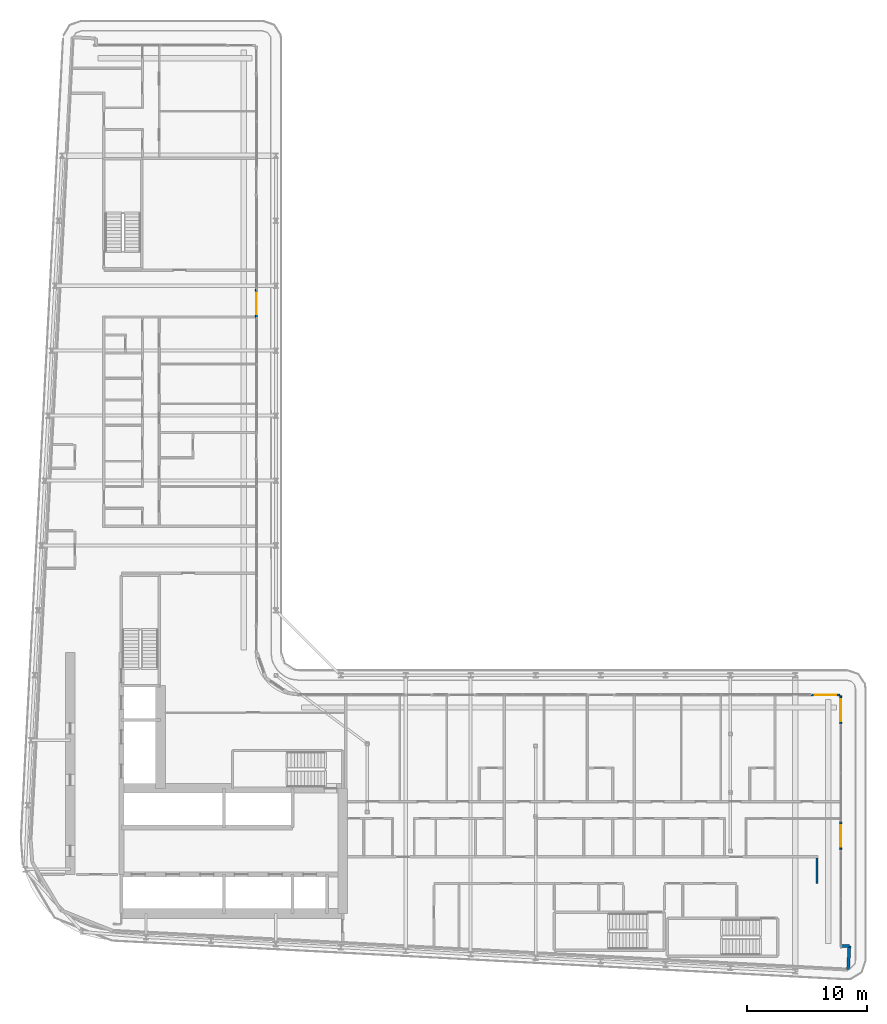
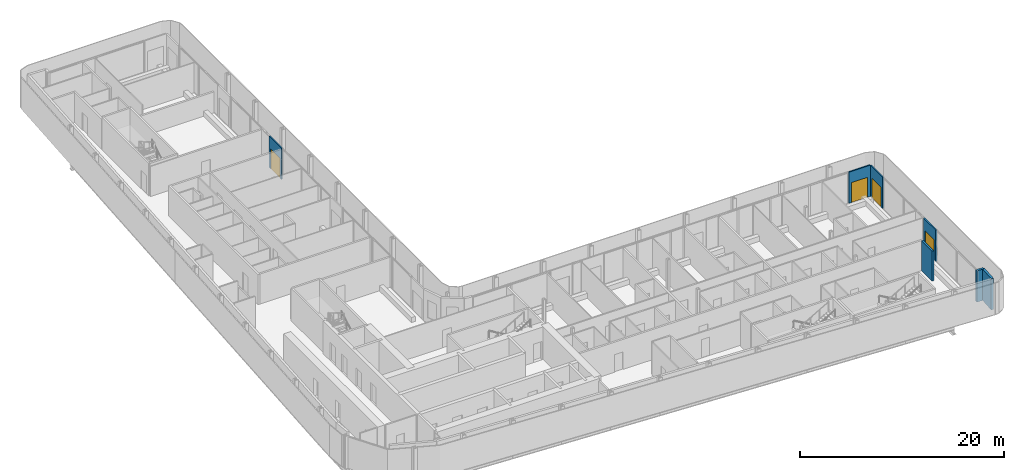
# One storey, part 21 of 30: 7 walls, 4 doors, 4 openings.
"""IFC4 building model written with IfcOpenShell, lengths in metres."""

from ifc_helpers import new_model, si_unit, direction, frame, frame_2d, origin, place, context, subcontext, project, spatial, rectangle, extrude, source, transform, mapped, material, layer, layer_set, type_object, element, fill, save


model = new_model("IFC4")

# Units and contexts
model_context = context("Model", 3, precision=1e-05, world=origin(), true_north=direction((0.0, 1.0)))
body_context = subcontext(model_context, "Body", "Model", "MODEL_VIEW")
ifc_project = project(units=[si_unit("LENGTHUNIT", "METRE"), si_unit("AREAUNIT", "SQUARE_METRE"), si_unit("VOLUMEUNIT", "CUBIC_METRE"), si_unit("PLANEANGLEUNIT", "RADIAN"), si_unit("MASSUNIT", "GRAM", prefix="KILO")], contexts=[model_context])

# Site, building, storey
site_placement = place(None, origin())
site = spatial("IfcSite", under=ifc_project, at=site_placement, CompositionType="ELEMENT")
building_placement = place(site_placement, origin())
building = spatial("IfcBuilding", under=site, at=building_placement, Name="Kheshtan School and Residences Tower", CompositionType="ELEMENT")
storey_placement = place(building_placement, frame((0.0, 0.0, 164.300048828125)))
storey = spatial("IfcBuildingStorey", under=building, at=storey_placement, Name="L38", CompositionType="ELEMENT", Elevation=164.300048828125)

# Walls
ifc_material_1 = material(Name="Gypsum board on steel studs with fire boards", Category="steel")
ifc_layer_1 = layer(ifc_material_1, 0.199951171875)
ifc_layer_set_1 = layer_set([ifc_layer_1], Name="Corridor wall 200")
wall_type_1 = type_object("IfcWallType", Name="Corridor wall 200", PredefinedType="PARTITIONING", material=ifc_layer_set_1)
wall_1_placement = place(storey_placement, frame((92.60009765625, 28.300048828125, 0.0), z_axis=(0.0, 0.0, 1.0), x_axis=(0.0, 1.0, 0.0)))
element("IfcWall", 1, at=wall_1_placement, inside=storey, type_object=wall_type_1, Name="Partition L38-075", PredefinedType="PARTITIONING", context=body_context, shape_type="SweptSolid", body=[
    extrude(rectangle(XDim=2.099853515625, YDim=0.199951171875, at=frame_2d((1.0498046875, 0.0))), origin(), (0.0, 0.0, 1.0), 3.599853515625),
])
ifc_material_2 = material(Name="Concrete C40/50 with ceramic cladding and mineral wool insulation", Category="concrete")
ifc_layer_2 = layer(ifc_material_2, 0.25)
ifc_layer_set_2 = layer_set([ifc_layer_2], Name="External wall 250 ceramic clad")
wall_type_2 = type_object("IfcWallType", Name="External wall 250 ceramic clad", PredefinedType="SOLIDWALL", material=ifc_layer_set_2)
wall_2_placement = place(storey_placement, frame((94.507080078125, 23.123046875, 0.0), z_axis=(0.0, 0.0, 1.0), x_axis=(0.998561284263, -0.053622398031, 0.0)))
element("IfcWall", 2, at=wall_2_placement, inside=storey, type_object=wall_type_2, Name="External wall L38 14", PredefinedType="SOLIDWALL", context=body_context, shape_type="SweptSolid", body=[
    extrude(rectangle(XDim=0.783203125, YDim=0.25, at=frame_2d((0.3916015625, 0.0))), origin(), (0.0, 0.0, 1.0), 3.75),
])
wall_3_placement = place(storey_placement, frame((95.2890625, 23.0810546875, 0.0), z_axis=(0.0, 0.0, 1.0), x_axis=(-0.052841433274, -0.998602915542, 0.0)))
element("IfcWall", 3, at=wall_3_placement, inside=storey, type_object=wall_type_2, Name="External wall L38 15", PredefinedType="SOLIDWALL", context=body_context, shape_type="SweptSolid", body=[
    extrude(rectangle(XDim=1.94970703125, YDim=0.25, at=frame_2d((0.974853515625, 0.0))), origin(), (0.0, 0.0, 1.0), 3.75),
])

# Wall, opening, door
ifc_material_3 = material(Name="Aluminium frame wall with insulated infill", Category="aluminium")
ifc_layer_3 = layer(ifc_material_3, 0.14990234375)
ifc_layer_set_3 = layer_set([ifc_layer_3], Name="Glazing frame wall 150")
wall_type_3 = type_object("IfcWallType", Name="Glazing frame wall 150", PredefinedType="SOLIDWALL", material=ifc_layer_set_3)
wall_4_placement = place(storey_placement, frame((45.97509765625, 77.7119140625, 0.0), z_axis=(0.0, 0.0, 1.0), x_axis=(0.0, -1.0, 0.0)))
wall_4 = element("IfcWall", 4, at=wall_4_placement, inside=storey, type_object=wall_type_3, Name="Balcony door wall L38 8.3", PredefinedType="SOLIDWALL", context=body_context, shape_type="SweptSolid", body=[
    extrude(rectangle(XDim=2.39990234375, YDim=0.14990234375, at=frame_2d((1.199951171875, 0.0))), origin(), (0.0, 0.0, 1.0), 3.75),
])
opening_1_placement = place(wall_4_placement, frame((0.300048828125, 0.0, 0.0)))
opening_1 = element("IfcOpeningElement", 5, at=opening_1_placement, cuts=wall_4, Name="Opening BD", PredefinedType="OPENING", context=body_context, shape_type="SweptSolid", body=[
    extrude(rectangle(XDim=1.800048828125, YDim=2.39990234375, at=frame_2d((0.89990234375, 1.199951171875))), frame((0.0, 0.0849609375, 0.0), z_axis=(0.0, -1.0, 0.0), x_axis=(1.0, 0.0, 0.0)), (0.0, 0.0, 1.0), 0.169921875),
])
ifc_material_4 = material(Name="Clear low-e glass in thermally broken aluminium frame", Category="aluminium")
door_type = type_object("IfcDoorType", Name="Balcony sliding door", OperationType="SLIDING_TO_LEFT", PredefinedType="DOOR", material=ifc_material_4)
shared_shape = source(origin(), body_context, "Body", "SweptSolid", [
    extrude(rectangle(XDim=1.800048828125, YDim=2.39990234375, at=frame_2d((0.89990234375, 1.199951171875))), frame((0.0, 0.02490234375, 0.0), z_axis=(0.0, -1.0, 0.0), x_axis=(1.0, 0.0, 0.0)), (0.0, 0.0, 1.0), 0.050048828125),
])
door_1_placement = place(opening_1_placement, origin())
door_1 = element("IfcDoor", 6, at=door_1_placement, inside=storey, type_object=door_type, Name="Balcony door L38 8.3", OperationType="SLIDING_TO_LEFT", OverallHeight=2.39990234375, OverallWidth=1.800048828125, PredefinedType="DOOR", context=body_context, shape_type="MappedRepresentation", body=[
    mapped(shared_shape, transform((0.0, 0.0, 0.0), x_axis=(1.0, 0.0, 0.0), y_axis=(0.0, 1.0, 0.0), z_axis=(0.0, 0.0, 1.0), scale=1.0)),
])
fill(opening_1, door_1)

wall_5_placement = place(storey_placement, frame((92.10009765625, 43.97509765625, 0.0), z_axis=(0.0, 0.0, 1.0), x_axis=(1.0, 0.0, 0.0)))
wall_5 = element("IfcWall", 7, at=wall_5_placement, inside=storey, type_object=wall_type_3, Name="Balcony door wall L38 12.4", PredefinedType="SOLIDWALL", context=body_context, shape_type="SweptSolid", body=[
    extrude(rectangle(XDim=2.39990234375, YDim=0.14990234375, at=frame_2d((1.199951171875, 0.0))), origin(), (0.0, 0.0, 1.0), 3.75),
])
opening_2_placement = place(wall_5_placement, frame((0.300048828125, 0.0, 0.0)))
opening_2 = element("IfcOpeningElement", 8, at=opening_2_placement, cuts=wall_5, Name="Opening BD", PredefinedType="OPENING", context=body_context, shape_type="SweptSolid", body=[
    extrude(rectangle(XDim=1.800048828125, YDim=2.39990234375, at=frame_2d((0.89990234375, 1.199951171875))), frame((0.0, 0.0849609375, 0.0), z_axis=(0.0, -1.0, 0.0), x_axis=(1.0, 0.0, 0.0)), (0.0, 0.0, 1.0), 0.169921875),
])
door_2_placement = place(opening_2_placement, origin())
door_2 = element("IfcDoor", 9, at=door_2_placement, inside=storey, type_object=door_type, Name="Balcony door L38 12.4", OperationType="SLIDING_TO_LEFT", OverallHeight=2.39990234375, OverallWidth=1.800048828125, PredefinedType="DOOR", context=body_context, shape_type="MappedRepresentation", body=[
    mapped(shared_shape, transform((0.0, 0.0, 0.0), x_axis=(1.0, 0.0, 0.0), y_axis=(0.0, 1.0, 0.0), z_axis=(0.0, 0.0, 1.0), scale=1.0)),
])
fill(opening_2, door_2)

wall_6_placement = place(storey_placement, frame((94.574951171875, 43.89990234375, 0.0), z_axis=(0.0, 0.0, 1.0), x_axis=(0.0, -1.0, 0.0)))
wall_6 = element("IfcWall", 10, at=wall_6_placement, inside=storey, type_object=wall_type_3, Name="Balcony door wall L38 13.1", PredefinedType="SOLIDWALL", context=body_context, shape_type="SweptSolid", body=[
    extrude(rectangle(XDim=2.39990234375, YDim=0.14990234375, at=frame_2d((1.199951171875, 0.0))), origin(), (0.0, 0.0, 1.0), 3.75),
])
opening_3_placement = place(wall_6_placement, frame((0.300048828125, 0.0, 0.0)))
opening_3 = element("IfcOpeningElement", 11, at=opening_3_placement, cuts=wall_6, Name="Opening BD", PredefinedType="OPENING", context=body_context, shape_type="SweptSolid", body=[
    extrude(rectangle(XDim=1.800048828125, YDim=2.39990234375, at=frame_2d((0.89990234375, 1.199951171875))), frame((0.0, 0.0849609375, 0.0), z_axis=(0.0, -1.0, 0.0), x_axis=(1.0, 0.0, 0.0)), (0.0, 0.0, 1.0), 0.169921875),
])
door_3_placement = place(opening_3_placement, origin())
door_3 = element("IfcDoor", 12, at=door_3_placement, inside=storey, type_object=door_type, Name="Balcony door L38 13.1", OperationType="SLIDING_TO_LEFT", OverallHeight=2.39990234375, OverallWidth=1.800048828125, PredefinedType="DOOR", context=body_context, shape_type="MappedRepresentation", body=[
    mapped(shared_shape, transform((0.0, 0.0, 0.0), x_axis=(1.0, 0.0, 0.0), y_axis=(0.0, 1.0, 0.0), z_axis=(0.0, 0.0, 1.0), scale=1.0)),
])
fill(opening_3, door_3)

wall_7_placement = place(storey_placement, frame((94.574951171875, 33.448974609375, 0.0), z_axis=(0.0, 0.0, 1.0), x_axis=(0.0, -1.0, 0.0)))
wall_7 = element("IfcWall", 13, at=wall_7_placement, inside=storey, type_object=wall_type_3, Name="Balcony door wall L38 13.2", PredefinedType="SOLIDWALL", context=body_context, shape_type="SweptSolid", body=[
    extrude(rectangle(XDim=2.39990234375, YDim=0.14990234375, at=frame_2d((1.199951171875, 0.0))), origin(), (0.0, 0.0, 1.0), 3.75),
])
opening_4_placement = place(wall_7_placement, frame((0.300048828125, 0.0, 0.0)))
opening_4 = element("IfcOpeningElement", 14, at=opening_4_placement, cuts=wall_7, Name="Opening BD", PredefinedType="OPENING", context=body_context, shape_type="SweptSolid", body=[
    extrude(rectangle(XDim=1.800048828125, YDim=2.39990234375, at=frame_2d((0.89990234375, 1.199951171875))), frame((0.0, 0.0849609375, 0.0), z_axis=(0.0, -1.0, 0.0), x_axis=(1.0, 0.0, 0.0)), (0.0, 0.0, 1.0), 0.169921875),
])
door_4_placement = place(opening_4_placement, origin())
door_4 = element("IfcDoor", 15, at=door_4_placement, inside=storey, type_object=door_type, Name="Balcony door L38 13.2", OperationType="SLIDING_TO_LEFT", OverallHeight=2.39990234375, OverallWidth=1.800048828125, PredefinedType="DOOR", context=body_context, shape_type="MappedRepresentation", body=[
    mapped(shared_shape, transform((0.0, 0.0, 0.0), x_axis=(1.0, 0.0, 0.0), y_axis=(0.0, 1.0, 0.0), z_axis=(0.0, 0.0, 1.0), scale=1.0)),
])
fill(opening_4, door_4)

save(model, "model.ifc")
